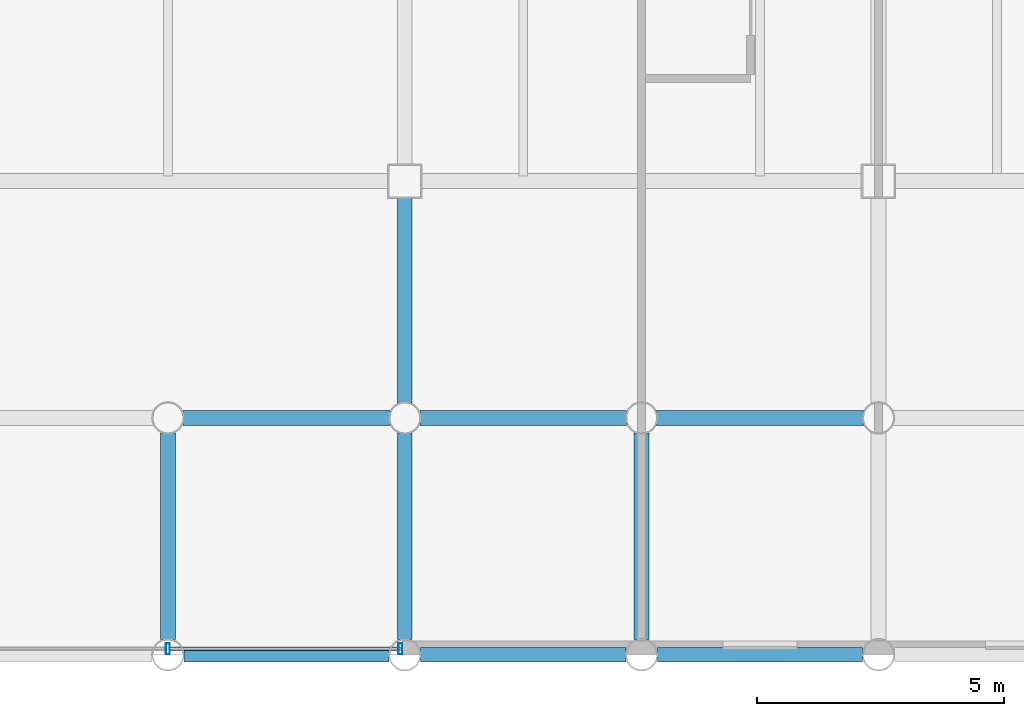
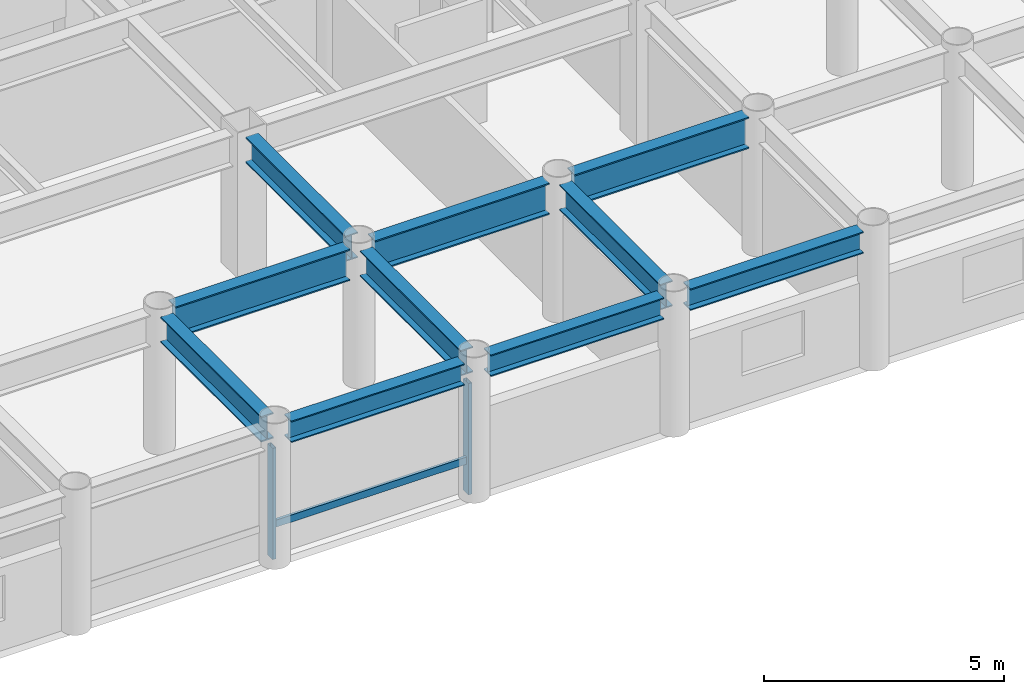
# One storey, part 6 of 20: 10 beams, 3 members, 1 element without a shape of its own.
"""IFC4 building model written with IfcOpenShell, lengths in metres."""

from ifc_helpers import new_model, si_unit, direction, frame, origin, origin_2d, place, context, subcontext, project, spatial, hollow_rectangle, i_section, extrude, material, layer, layer_set, material_profile, profile_set, type_object, element, aggregate, save


model = new_model("IFC4")

# Units and contexts
model_context = context("Model", 3, precision=1e-05, world=origin(), true_north=direction((0.0, 1.0)))
body_context = subcontext(model_context, "Body", "Model", "MODEL_VIEW")
ifc_project = project(units=[si_unit("LENGTHUNIT", "METRE"), si_unit("AREAUNIT", "SQUARE_METRE"), si_unit("VOLUMEUNIT", "CUBIC_METRE"), si_unit("PLANEANGLEUNIT", "RADIAN"), si_unit("MASSUNIT", "GRAM", prefix="KILO")], contexts=[model_context])

# Site, building, storey
site_placement = place(None, origin())
site = spatial("IfcSite", under=ifc_project, at=site_placement, CompositionType="ELEMENT")
building_placement = place(site_placement, origin())
building = spatial("IfcBuilding", under=site, at=building_placement, Name="Kallvorn Hotel Tower", CompositionType="ELEMENT")
storey_placement = place(building_placement, frame((0.0, 0.0, 172.89990234375)))
storey = spatial("IfcBuildingStorey", under=building, at=storey_placement, Name="L43", CompositionType="ELEMENT", Elevation=172.89990234375)

# Beams
ifc_material_1 = material(Name="Structural steel S355JR", Category="steel")
ifc_material_profile_1 = material_profile(ifc_material_1, i_section(OverallWidth=0.300048828125, OverallDepth=0.550048828125, WebThickness=0.014892578125, FlangeThickness=0.029052734375, at=origin_2d()), Name="HE 550 B")
ifc_profile_set_1 = profile_set([ifc_material_profile_1], Name="Structural steel S355JR")
beam_type_1 = type_object("IfcBeamType", Name="BM_HE550B", PredefinedType="SPANDREL", material=ifc_profile_set_1)
for number, where, z_axis, x_axis, name in (
    (1, (0.320068359375, -24.0, 3.2451171875), (1.0, 0.0, 0.0), (0.0, 1.0, 0.0), "L44 Perimeter Spandrel 157"),
    (2, (5.1201171875, -24.0, 3.2451171875), (1.0, 0.0, 0.0), (0.0, 1.0, 0.0), "L44 Perimeter Spandrel 158"),
):
    element("IfcBeam", number, at=place(storey_placement, frame(where, z_axis=z_axis, x_axis=x_axis)), inside=storey, type_object=beam_type_1, Name=name, PredefinedType="SPANDREL", context=body_context, shape_type="SweptSolid", body=[
        extrude(i_section(OverallWidth=0.300048828125, OverallDepth=0.550048828125, WebThickness=0.014892578125, FlangeThickness=0.029052734375, at=origin_2d()), origin(), (0.0, 0.0, 1.0), 4.159912109375),
    ])
beam_1_placement = place(storey_placement, frame((9.919921875, -24.0, 3.2451171875), z_axis=(1.0, 0.0, 0.0), x_axis=(0.0, 1.0, 0.0)))
element("IfcBeam", 3, at=beam_1_placement, inside=storey, type_object=beam_type_1, Name="L44 Perimeter Spandrel 159", PredefinedType="SPANDREL", context=body_context, shape_type="SweptSolid", body=[
    extrude(i_section(OverallWidth=0.300048828125, OverallDepth=0.550048828125, WebThickness=0.014892578125, FlangeThickness=0.029052734375, at=origin_2d()), origin(), (0.0, 0.0, 1.0), 4.16015625),
])
ifc_material_2 = material(Name="Structural steel S355JR", Category="steel")
ifc_material_profile_2 = material_profile(ifc_material_2, i_section(OverallWidth=0.300048828125, OverallDepth=0.64990234375, WebThickness=0.01611328125, FlangeThickness=0.031005859375, at=origin_2d()), Name="HE 650 B")
ifc_profile_set_2 = profile_set([ifc_material_profile_2], Name="Structural steel S355JR")
beam_type_2 = type_object("IfcBeamType", Name="BM_HE650B", PredefinedType="BEAM", material=ifc_profile_set_2)
for number, where, z_axis, x_axis, name in (
    (4, (0.0, -23.695068359375, 3.195068359375), (0.0, 1.0, 0.0), (-1.0, 0.0, 0.0), "L44 Primary Y-Girder 111"),
    (5, (4.800048828125, -23.695068359375, 3.195068359375), (0.0, 1.0, 0.0), (-1.0, 0.0, 0.0), "L44 Primary Y-Girder 114"),
):
    element("IfcBeam", number, at=place(storey_placement, frame(where, z_axis=z_axis, x_axis=x_axis)), inside=storey, type_object=beam_type_2, Name=name, PredefinedType="BEAM", context=body_context, shape_type="SweptSolid", body=[
        extrude(i_section(OverallWidth=0.300048828125, OverallDepth=0.64990234375, WebThickness=0.01611328125, FlangeThickness=0.031005859375, at=origin_2d()), origin(), (0.0, 0.0, 1.0), 4.190185546875),
    ])
beam_2_placement = place(storey_placement, frame((4.800048828125, -18.89501953125, 3.195068359375), z_axis=(0.0, 1.0, 0.0), x_axis=(-1.0, 0.0, 0.0)))
element("IfcBeam", 6, at=beam_2_placement, inside=storey, type_object=beam_type_2, Name="L44 Primary Y-Girder 115", PredefinedType="BEAM", context=body_context, shape_type="SweptSolid", body=[
    extrude(i_section(OverallWidth=0.300048828125, OverallDepth=0.64990234375, WebThickness=0.01611328125, FlangeThickness=0.031005859375, at=origin_2d()), origin(), (0.0, 0.0, 1.0), 4.169921875),
])
beam_3_placement = place(storey_placement, frame((9.60009765625, -23.695068359375, 3.195068359375), z_axis=(0.0, 1.0, 0.0), x_axis=(-1.0, 0.0, 0.0)))
element("IfcBeam", 7, at=beam_3_placement, inside=storey, type_object=beam_type_2, Name="L44 Primary Y-Girder 119", PredefinedType="BEAM", context=body_context, shape_type="SweptSolid", body=[
    extrude(i_section(OverallWidth=0.300048828125, OverallDepth=0.64990234375, WebThickness=0.01611328125, FlangeThickness=0.031005859375, at=origin_2d()), origin(), (0.0, 0.0, 1.0), 4.190185546875),
])
ifc_material_3 = material(Name="Structural steel S355JR", Category="steel")
ifc_material_profile_3 = material_profile(ifc_material_3, i_section(OverallWidth=0.300048828125, OverallDepth=0.800048828125, WebThickness=0.017578125, FlangeThickness=0.032958984375, at=origin_2d()), Name="HE 800 B")
ifc_profile_set_3 = profile_set([ifc_material_profile_3], Name="Structural steel S355JR")
beam_type_3 = type_object("IfcBeamType", Name="BM_HE800B", PredefinedType="BEAM", material=ifc_profile_set_3)
beam_4_placement = place(storey_placement, frame((0.304931640625, -19.199951171875, 3.1201171875), z_axis=(1.0, 0.0, 0.0), x_axis=(0.0, 1.0, 0.0)))
element("IfcBeam", 8, at=beam_4_placement, inside=storey, type_object=beam_type_3, Name="L44 Primary X-Girder 08", PredefinedType="BEAM", context=body_context, shape_type="SweptSolid", body=[
    extrude(i_section(OverallWidth=0.300048828125, OverallDepth=0.800048828125, WebThickness=0.017578125, FlangeThickness=0.032958984375, at=origin_2d()), origin(), (0.0, 0.0, 1.0), 4.190185546875),
])
for number, where, z_axis, x_axis, name in (
    (9, (5.10498046875, -19.199951171875, 3.1201171875), (1.0, 0.0, 0.0), (0.0, 1.0, 0.0), "L44 Primary X-Girder 09"),
    (10, (9.905029296875, -19.199951171875, 3.1201171875), (1.0, 0.0, 0.0), (0.0, 1.0, 0.0), "L44 Primary X-Girder 10"),
):
    element("IfcBeam", number, at=place(storey_placement, frame(where, z_axis=z_axis, x_axis=x_axis)), inside=storey, type_object=beam_type_3, Name=name, PredefinedType="BEAM", context=body_context, shape_type="SweptSolid", body=[
        extrude(i_section(OverallWidth=0.300048828125, OverallDepth=0.800048828125, WebThickness=0.017578125, FlangeThickness=0.032958984375, at=origin_2d()), origin(), (0.0, 0.0, 1.0), 4.18994140625),
    ])

# Curtain wall, members
ifc_material_4 = material(Name="Thermally broken black-anodised aluminium AA 6063-T6", Category="aluminium")
ifc_layer = layer(ifc_material_4, 0.2099609375)
ifc_layer_set = layer_set([ifc_layer], Name="CW_SYS_4_HOTEL_MID")
curtain_wall_type = type_object("IfcCurtainWallType", Name="CW_SYS_4_HOTEL_MID", PredefinedType="USERDEFINED", material=ifc_layer_set)
curtain_wall_placement = place(storey_placement, origin())
curtain_wall = element("IfcCurtainWall", 11, at=curtain_wall_placement, inside=storey, type_object=curtain_wall_type, Name="L43 Dark-Glass Curtain Wall CW-L43-SC", ObjectType="UNITISED CURTAIN WALL", PredefinedType="USERDEFINED")
ifc_material_5 = material(Name="Thermally broken black-anodised aluminium AA 6063-T6", Category="aluminium")
ifc_material_profile_4 = material_profile(ifc_material_5, hollow_rectangle(XDim=0.080078125, YDim=0.219970703125, WallThickness=0.0048828125, at=origin_2d()), Name="MUL 220x80")
ifc_profile_set_4 = profile_set([ifc_material_profile_4], Name="Thermally broken black-anodised aluminium AA 6063-T6")
member_type_1 = type_object("IfcMemberType", Name="CW_MULLION_220x80", PredefinedType="MULLION", material=ifc_profile_set_4)
member_1_placement = place(storey_placement, frame((0.0, -23.8798828125, 0.02001953125), z_axis=(0.0, 0.0, 1.0), x_axis=(1.0, 0.0, 0.0)))
member_1 = element("IfcMember", 12, at=member_1_placement, type_object=member_type_1, Name="CW-L43-SC Mullion 01", PredefinedType="MULLION", context=body_context, shape_type="SweptSolid", body=[
    extrude(hollow_rectangle(XDim=0.080078125, YDim=0.219970703125, WallThickness=0.0048828125, at=origin_2d()), origin(), (0.0, 0.0, 1.0), 2.830078125),
])
member_2_placement = place(storey_placement, frame((4.7099609375, -23.8798828125, 0.02001953125), z_axis=(0.0, 0.0, 1.0), x_axis=(1.0, 0.0, 0.0)))
member_2 = element("IfcMember", 13, at=member_2_placement, type_object=member_type_1, Name="CW-L43-SC Mullion 02", PredefinedType="MULLION", context=body_context, shape_type="SweptSolid", body=[
    extrude(hollow_rectangle(XDim=0.080078125, YDim=0.219970703125, WallThickness=0.0048828125, at=origin_2d()), origin(), (0.0, 0.0, 1.0), 2.830078125),
])
ifc_material_6 = material(Name="Thermally broken black-anodised aluminium AA 6063-T6", Category="aluminium")
ifc_material_profile_5 = material_profile(ifc_material_6, hollow_rectangle(XDim=0.070068359375, YDim=0.179931640625, WallThickness=0.00390625, at=origin_2d()), Name="TRN 180x70")
ifc_profile_set_5 = profile_set([ifc_material_profile_5], Name="Thermally broken black-anodised aluminium AA 6063-T6")
member_type_2 = type_object("IfcMemberType", Name="CW_TRANSOM_180x70", PredefinedType="USERDEFINED", material=ifc_profile_set_5)
member_3_placement = place(storey_placement, frame((0.0400390625, -23.8798828125, 0.85009765625), z_axis=(1.0, 0.0, 0.0), x_axis=(0.0, 1.0, 0.0)))
member_3 = element("IfcMember", 14, at=member_3_placement, type_object=member_type_2, Name="CW-L43-SC Transom 01M", ObjectType="TRANSOM", PredefinedType="USERDEFINED", context=body_context, shape_type="SweptSolid", body=[
    extrude(hollow_rectangle(XDim=0.070068359375, YDim=0.179931640625, WallThickness=0.00390625, at=origin_2d()), origin(), (0.0, 0.0, 1.0), 4.669921875),
])
aggregate(curtain_wall, [member_1, member_2, member_3])

save(model, "model.ifc")
